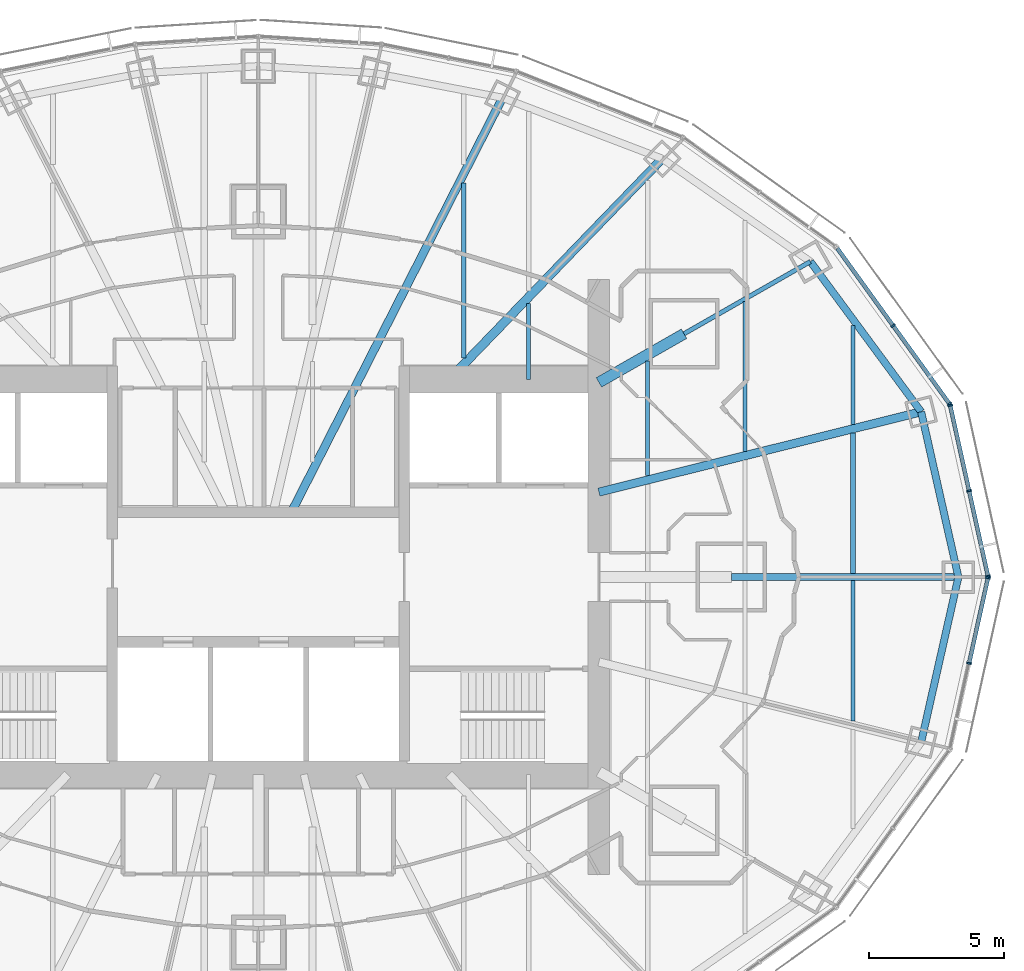
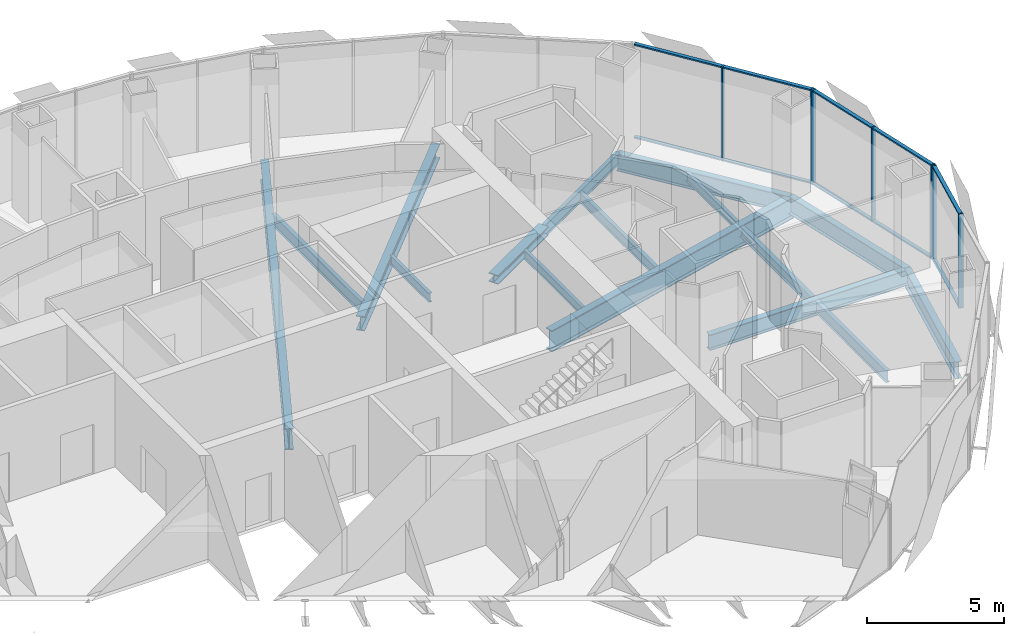
# One storey, part 7 of 19: 17 members, 16 beams, 3 elements without a shape of their own.
"""IFC4 building model written with IfcOpenShell, lengths in metres."""

from ifc_helpers import new_model, si_unit, direction, frame, origin, origin_2d, place, context, subcontext, project, spatial, rectangle, i_section, extrude, material, material_profile, profile_set, type_object, element, aggregate, save


model = new_model("IFC4")

# Units and contexts
model_context = context("Model", 3, precision=1e-05, world=origin(), true_north=direction((0.0, 1.0)))
body_context = subcontext(model_context, "Body", "Model", "MODEL_VIEW")
ifc_project = project(units=[si_unit("LENGTHUNIT", "METRE"), si_unit("AREAUNIT", "SQUARE_METRE"), si_unit("VOLUMEUNIT", "CUBIC_METRE"), si_unit("PLANEANGLEUNIT", "RADIAN"), si_unit("MASSUNIT", "GRAM", prefix="KILO")], contexts=[model_context])

# Site, building, storey
site_placement = place(None, origin())
site = spatial("IfcSite", under=ifc_project, at=site_placement, CompositionType="ELEMENT")
building_placement = place(site_placement, origin())
building = spatial("IfcBuilding", under=site, at=building_placement, Name="Lantaw Convention Tower", CompositionType="ELEMENT")
storey_placement = place(building_placement, frame((0.0, 0.0, 253.60009765625)))
storey = spatial("IfcBuildingStorey", under=building, at=storey_placement, Name="L59", CompositionType="ELEMENT", Elevation=253.60009765625)

# Beams
ifc_material_1 = material(Name="Steel ASTM A992", Category="steel")
ifc_material_profile_1 = material_profile(ifc_material_1, i_section(OverallWidth=0.2666015625, OverallDepth=0.76953125, WebThickness=0.015625, FlangeThickness=0.025390625, FilletRadius=0.0126953125, at=origin_2d()), Name="W30X132")
ifc_profile_set_1 = profile_set([ifc_material_profile_1], Name="Steel ASTM A992")
beam_type_1 = type_object("IfcBeamType", Name="Beam E W30X132", PredefinedType="SPANDREL", material=ifc_profile_set_1)
beam_1_placement = place(storey_placement, frame((25.89990234375, 0.0, -0.534912109375), z_axis=(-0.219857926596, 0.97553190215, 0.0), x_axis=(-0.97553190215, -0.219857926596, 0.0)))
element("IfcBeam", 1, at=beam_1_placement, inside=storey, type_object=beam_type_1, Name="Edge beam 1", PredefinedType="SPANDREL", context=body_context, shape_type="SweptSolid", body=[
    extrude(i_section(OverallWidth=0.2666015625, OverallDepth=0.76953125, WebThickness=0.015625, FlangeThickness=0.025390625, FilletRadius=0.0126953125, at=origin_2d()), origin(), (0.0, 0.0, 1.0), 6.267333984375),
])
beam_2_placement = place(storey_placement, frame((24.52197265625, 6.114013671875, -0.534912109375), z_axis=(-0.593639188853, 0.804731329984, 0.0), x_axis=(-0.804731329984, -0.593639188853, 0.0)))
element("IfcBeam", 2, at=beam_2_placement, inside=storey, type_object=beam_type_1, Name="Edge beam 2", PredefinedType="SPANDREL", context=body_context, shape_type="SweptSolid", body=[
    extrude(i_section(OverallWidth=0.2666015625, OverallDepth=0.76953125, WebThickness=0.015625, FlangeThickness=0.025390625, FilletRadius=0.0126953125, at=origin_2d()), origin(), (0.0, 0.0, 1.0), 6.904541015625),
])
beam_3_placement = place(storey_placement, frame((24.52197265625, -6.114013671875, -0.534912109375), z_axis=(0.219857926596, 0.97553190215, 0.0), x_axis=(-0.97553190215, 0.219857926596, 0.0)))
element("IfcBeam", 3, at=beam_3_placement, inside=storey, type_object=beam_type_1, Name="Edge beam 24", PredefinedType="SPANDREL", context=body_context, shape_type="SweptSolid", body=[
    extrude(i_section(OverallWidth=0.2666015625, OverallDepth=0.76953125, WebThickness=0.015625, FlangeThickness=0.025390625, FilletRadius=0.0126953125, at=origin_2d()), origin(), (0.0, 0.0, 1.0), 6.267333984375),
])
ifc_material_profile_2 = material_profile(ifc_material_1, i_section(OverallWidth=0.1650390625, OverallDepth=0.52587890625, WebThickness=0.0087890625, FlangeThickness=0.011474609375, FilletRadius=0.0126953125, at=origin_2d()), Name="W21X44")
ifc_profile_set_2 = profile_set([ifc_material_profile_2], Name="Steel ASTM A992")
beam_type_2 = type_object("IfcBeamType", Name="Beam G W21X44", PredefinedType="BEAM", material=ifc_profile_set_2)
beam_4_placement = place(storey_placement, frame((15.75, 9.0, -0.4130859375), z_axis=(0.868237559289, 0.496148708192, 0.0), x_axis=(-0.496148708192, 0.868237559289, 0.0)))
element("IfcBeam", 4, at=beam_4_placement, inside=storey, type_object=beam_type_2, Name="Floor girder on ray 3", PredefinedType="BEAM", context=body_context, shape_type="SweptSolid", body=[
    extrude(i_section(OverallWidth=0.1650390625, OverallDepth=0.52587890625, WebThickness=0.0087890625, FlangeThickness=0.011474609375, FilletRadius=0.0126953125, at=origin_2d()), origin(), (0.0, 0.0, 1.0), 5.38232421875),
])
ifc_material_profile_3 = material_profile(ifc_material_1, i_section(OverallWidth=0.32763671875, OverallDepth=0.64013671875, WebThickness=0.01904296875, FlangeThickness=0.033935546875, FilletRadius=0.0126953125, at=origin_2d()), Name="W24X176")
ifc_profile_set_3 = profile_set([ifc_material_profile_3], Name="Steel ASTM A992")
beam_type_3 = type_object("IfcBeamType", Name="Beam G W24X176", PredefinedType="BEAM", material=ifc_profile_set_3)
beam_5_placement = place(storey_placement, frame((7.049560546875, 7.300048828125, -0.47021484375), z_axis=(0.694657766726, 0.719340383356, 0.0), x_axis=(-0.719340383356, 0.694657766726, 0.0)))
element("IfcBeam", 5, at=beam_5_placement, inside=storey, type_object=beam_type_3, Name="Floor girder on ray 4", PredefinedType="BEAM", context=body_context, shape_type="SweptSolid", body=[
    extrude(i_section(OverallWidth=0.32763671875, OverallDepth=0.64013671875, WebThickness=0.01904296875, FlangeThickness=0.033935546875, FilletRadius=0.0126953125, at=origin_2d()), origin(), (0.0, 0.0, 1.0), 11.364990234375),
])
ifc_material_profile_4 = material_profile(ifc_material_1, i_section(OverallWidth=0.25390625, OverallDepth=0.700927734375, WebThickness=0.015380859375, FlangeThickness=0.02783203125, FilletRadius=0.01513671875, at=origin_2d()), Name="W27X129")
ifc_profile_set_4 = profile_set([ifc_material_profile_4], Name="Steel ASTM A992")
beam_type_4 = type_object("IfcBeamType", Name="Beam G W27X129", PredefinedType="BEAM", material=ifc_profile_set_4)
beam_6_placement = place(storey_placement, frame((17.5, 0.0, -0.500732421875), z_axis=(1.0, 0.0, 0.0), x_axis=(0.0, 1.0, 0.0)))
element("IfcBeam", 6, at=beam_6_placement, inside=storey, type_object=beam_type_4, Name="Floor girder on ray 1", PredefinedType="BEAM", context=body_context, shape_type="SweptSolid", body=[
    extrude(i_section(OverallWidth=0.25390625, OverallDepth=0.700927734375, WebThickness=0.015380859375, FlangeThickness=0.02783203125, FilletRadius=0.01513671875, at=origin_2d()), origin(), (0.0, 0.0, 1.0), 8.39990234375),
])
ifc_material_profile_5 = material_profile(ifc_material_1, i_section(OverallWidth=0.307373046875, OverallDepth=0.9423828125, WebThickness=0.022216796875, FlangeThickness=0.039794921875, FilletRadius=0.0126953125, at=origin_2d()), Name="W36X232")
ifc_profile_set_5 = profile_set([ifc_material_profile_5], Name="Steel ASTM A992")
beam_type_5 = type_object("IfcBeamType", Name="Beam G W36X232", PredefinedType="BEAM", material=ifc_profile_set_5)
beam_7_placement = place(storey_placement, frame((12.60009765625, 3.1416015625, -0.621337890625), z_axis=(0.970296589314, 0.241918434119, 0.0), x_axis=(-0.241918434119, 0.970296589314, 0.0)))
element("IfcBeam", 7, at=beam_7_placement, inside=storey, type_object=beam_type_5, Name="Floor girder on ray 2", PredefinedType="BEAM", context=body_context, shape_type="SweptSolid", body=[
    extrude(i_section(OverallWidth=0.307373046875, OverallDepth=0.9423828125, WebThickness=0.022216796875, FlangeThickness=0.039794921875, FilletRadius=0.0126953125, at=origin_2d()), origin(), (0.0, 0.0, 1.0), 12.286865234375),
])
beam_8_placement = place(storey_placement, frame((1.222900390625, 2.39990234375, -0.621337890625), z_axis=(0.453988481463, 0.891007552549, 0.0), x_axis=(-0.891007552549, 0.453988481463, 0.0)))
element("IfcBeam", 8, at=beam_8_placement, inside=storey, type_object=beam_type_5, Name="Floor girder on ray 5", PredefinedType="BEAM", context=body_context, shape_type="SweptSolid", body=[
    extrude(i_section(OverallWidth=0.307373046875, OverallDepth=0.9423828125, WebThickness=0.022216796875, FlangeThickness=0.039794921875, FilletRadius=0.0126953125, at=origin_2d()), origin(), (0.0, 0.0, 1.0), 17.20703125),
])
ifc_material_profile_6 = material_profile(ifc_material_1, i_section(OverallWidth=0.40380859375, OverallDepth=0.406494140625, WebThickness=0.027099609375, FlangeThickness=0.043701171875, FilletRadius=0.01513671875, at=origin_2d()), Name="W14X233")
ifc_profile_set_6 = profile_set([ifc_material_profile_6], Name="Steel ASTM A992")
beam_type_6 = type_object("IfcBeamType", Name="Beam GM W14X233", PredefinedType="BEAM", material=ifc_profile_set_6)
beam_9_placement = place(storey_placement, frame((12.60009765625, 7.199951171875, -0.353271484375), z_axis=(0.868230718294, 0.496160679428, 0.0), x_axis=(-0.496160679428, 0.868230718294, 0.0)))
element("IfcBeam", 9, at=beam_9_placement, inside=storey, type_object=beam_type_6, Name="Core link beam on ray 3", PredefinedType="BEAM", context=body_context, shape_type="SweptSolid", body=[
    extrude(i_section(OverallWidth=0.40380859375, OverallDepth=0.406494140625, WebThickness=0.027099609375, FlangeThickness=0.043701171875, FilletRadius=0.01513671875, at=origin_2d()), origin(), (0.0, 0.0, 1.0), 3.6279296875),
])
ifc_material_profile_7 = material_profile(ifc_material_1, i_section(OverallWidth=0.140380859375, OverallDepth=0.40380859375, WebThickness=0.007080078125, FlangeThickness=0.01123046875, FilletRadius=0.01025390625, at=origin_2d()), Name="W16X31")
ifc_profile_set_7 = profile_set([ifc_material_profile_7], Name="Steel ASTM A992")
beam_type_7 = type_object("IfcBeamType", Name="Beam J W16X31", PredefinedType="JOIST", material=ifc_profile_set_7)
beam_10_placement = place(storey_placement, frame((10.0, 7.300048828125, -0.35205078125), z_axis=(0.0, 1.0, 0.0), x_axis=(-1.0, 0.0, 0.0)))
element("IfcBeam", 10, at=beam_10_placement, inside=storey, type_object=beam_type_7, Name="Floor joist", PredefinedType="JOIST", context=body_context, shape_type="SweptSolid", body=[
    extrude(i_section(OverallWidth=0.140380859375, OverallDepth=0.40380859375, WebThickness=0.007080078125, FlangeThickness=0.01123046875, FilletRadius=0.01025390625, at=origin_2d()), origin(), (0.0, 0.0, 1.0), 2.8193359375),
])
beam_11_placement = place(storey_placement, frame((14.39990234375, 3.748779296875, -0.35205078125), z_axis=(0.0, 1.0, 0.0), x_axis=(-1.0, 0.0, 0.0)))
element("IfcBeam", 11, at=beam_11_placement, inside=storey, type_object=beam_type_7, Name="Floor joist", PredefinedType="JOIST", context=body_context, shape_type="SweptSolid", body=[
    extrude(i_section(OverallWidth=0.140380859375, OverallDepth=0.40380859375, WebThickness=0.007080078125, FlangeThickness=0.01123046875, FilletRadius=0.01025390625, at=origin_2d()), origin(), (0.0, 0.0, 1.0), 4.247314453125),
])
beam_12_placement = place(storey_placement, frame((22.0, 5.6435546875, -0.35205078125), z_axis=(0.0, 1.0, 0.0), x_axis=(-1.0, 0.0, 0.0)))
element("IfcBeam", 12, at=beam_12_placement, inside=storey, type_object=beam_type_7, Name="Floor joist", PredefinedType="JOIST", context=body_context, shape_type="SweptSolid", body=[
    extrude(i_section(OverallWidth=0.140380859375, OverallDepth=0.40380859375, WebThickness=0.007080078125, FlangeThickness=0.01123046875, FilletRadius=0.01025390625, at=origin_2d()), origin(), (0.0, 0.0, 1.0), 3.66455078125),
])
ifc_material_profile_8 = material_profile(ifc_material_1, i_section(OverallWidth=0.15234375, OverallDepth=0.449462890625, WebThickness=0.007568359375, FlangeThickness=0.0107421875, FilletRadius=0.01025390625, at=origin_2d()), Name="W18X35")
ifc_profile_set_8 = profile_set([ifc_material_profile_8], Name="Steel ASTM A992")
beam_type_8 = type_object("IfcBeamType", Name="Beam J W18X35", PredefinedType="JOIST", material=ifc_profile_set_8)
beam_13_placement = place(storey_placement, frame((18.0, 4.646240234375, -0.375), z_axis=(0.0, 1.0, 0.0), x_axis=(-1.0, 0.0, 0.0)))
element("IfcBeam", 13, at=beam_13_placement, inside=storey, type_object=beam_type_8, Name="Floor joist", PredefinedType="JOIST", context=body_context, shape_type="SweptSolid", body=[
    extrude(i_section(OverallWidth=0.15234375, OverallDepth=0.449462890625, WebThickness=0.007568359375, FlangeThickness=0.0107421875, FilletRadius=0.01025390625, at=origin_2d()), origin(), (0.0, 0.0, 1.0), 5.54443359375),
])
ifc_material_profile_9 = material_profile(ifc_material_1, i_section(OverallWidth=0.1904296875, OverallDepth=0.457275390625, WebThickness=0.009033203125, FlangeThickness=0.014404296875, FilletRadius=0.01025390625, at=origin_2d()), Name="W18X50")
ifc_profile_set_9 = profile_set([ifc_material_profile_9], Name="Steel ASTM A992")
beam_type_9 = type_object("IfcBeamType", Name="Beam J W18X50", PredefinedType="JOIST", material=ifc_profile_set_9)
beam_14_placement = place(storey_placement, frame((22.0, 0.126953125, -0.378662109375), z_axis=(0.0, 1.0, 0.0), x_axis=(-1.0, 0.0, 0.0)))
element("IfcBeam", 14, at=beam_14_placement, inside=storey, type_object=beam_type_9, Name="Floor joist", PredefinedType="JOIST", context=body_context, shape_type="SweptSolid", body=[
    extrude(i_section(OverallWidth=0.1904296875, OverallDepth=0.457275390625, WebThickness=0.009033203125, FlangeThickness=0.014404296875, FilletRadius=0.01025390625, at=origin_2d()), origin(), (0.0, 0.0, 1.0), 5.199951171875),
])
ifc_material_profile_10 = material_profile(ifc_material_1, i_section(OverallWidth=0.1650390625, OverallDepth=0.52587890625, WebThickness=0.0087890625, FlangeThickness=0.011474609375, FilletRadius=0.0126953125, at=origin_2d()), Name="W21X44")
ifc_profile_set_10 = profile_set([ifc_material_profile_10], Name="Steel ASTM A992")
beam_type_10 = type_object("IfcBeamType", Name="Beam J W21X44", PredefinedType="JOIST", material=ifc_profile_set_10)
beam_15_placement = place(storey_placement, frame((7.60009765625, 8.10595703125, -0.4130859375), z_axis=(0.0, 1.0, 0.0), x_axis=(-1.0, 0.0, 0.0)))
element("IfcBeam", 15, at=beam_15_placement, inside=storey, type_object=beam_type_10, Name="Floor joist", PredefinedType="JOIST", context=body_context, shape_type="SweptSolid", body=[
    extrude(i_section(OverallWidth=0.1650390625, OverallDepth=0.52587890625, WebThickness=0.0087890625, FlangeThickness=0.011474609375, FilletRadius=0.0126953125, at=origin_2d()), origin(), (0.0, 0.0, 1.0), 6.471435546875),
])
beam_16_placement = place(storey_placement, frame((22.0, -5.326904296875, -0.4130859375), z_axis=(0.0, 1.0, 0.0), x_axis=(-1.0, 0.0, 0.0)))
element("IfcBeam", 16, at=beam_16_placement, inside=storey, type_object=beam_type_10, Name="Floor joist", PredefinedType="JOIST", context=body_context, shape_type="SweptSolid", body=[
    extrude(i_section(OverallWidth=0.1650390625, OverallDepth=0.52587890625, WebThickness=0.0087890625, FlangeThickness=0.011474609375, FilletRadius=0.0126953125, at=origin_2d()), origin(), (0.0, 0.0, 1.0), 5.199951171875),
])

# Curtain wall, members
ifc_material_2 = material(Name="Aluminium framed curtain wall", Category="aluminium")
curtain_wall_type = type_object("IfcCurtainWallType", Name="Office curtain wall high rise, pale aluminium", PredefinedType="USERDEFINED", material=ifc_material_2)
curtain_wall_1_placement = place(storey_placement, origin())
curtain_wall_1 = element("IfcCurtainWall", 17, at=curtain_wall_1_placement, inside=storey, type_object=curtain_wall_type, Name="Office curtain wall high rise, pale aluminium L59", ObjectType="UNITISED CURTAIN WALL", PredefinedType="USERDEFINED")
ifc_material_3 = material(Name="Aluminium 6063-T6", Category="aluminium")
ifc_material_profile_11 = material_profile(ifc_material_3, rectangle(XDim=0.179931640625, YDim=0.06494140625, at=origin_2d()), Name="CW-O2 mullion 65x180")
ifc_profile_set_11 = profile_set([ifc_material_profile_11], Name="Aluminium 6063-T6")
member_type_1 = type_object("IfcMemberType", Name="CW-O2 mullion 65x180", PredefinedType="MULLION", material=ifc_profile_set_11)
member_1_placement = place(storey_placement, frame((26.992919921875, 0.03173828125, -0.150146484375), z_axis=(0.0, 0.0, 1.0), x_axis=(-0.976417396437, -0.215891333626, 0.0)))
member_1 = element("IfcMember", 18, at=member_1_placement, type_object=member_type_1, Name="CW-O2 mullion 1", PredefinedType="MULLION", context=body_context, shape_type="SweptSolid", body=[
    extrude(rectangle(XDim=0.179931640625, YDim=0.06494140625, at=origin_2d()), origin(), (0.0, 0.0, 1.0), 4.199951171875),
])
member_2_placement = place(storey_placement, frame((26.294677734375, 3.190185546875, -0.150146484375), z_axis=(0.0, 0.0, 1.0), x_axis=(-0.976417396437, -0.215891333626, 0.0)))
member_2 = element("IfcMember", 19, at=member_2_placement, type_object=member_type_1, Name="CW-O2 mullion 2", PredefinedType="MULLION", context=body_context, shape_type="SweptSolid", body=[
    extrude(rectangle(XDim=0.179931640625, YDim=0.06494140625, at=origin_2d()), origin(), (0.0, 0.0, 1.0), 4.199951171875),
])
member_3_placement = place(storey_placement, frame((25.596435546875, 6.348388671875, -0.150146484375), z_axis=(0.0, 0.0, 1.0), x_axis=(-0.976417396437, -0.215891333626, 0.0)))
member_3 = element("IfcMember", 20, at=member_3_placement, type_object=member_type_1, Name="CW-O2 mullion 3", PredefinedType="MULLION", context=body_context, shape_type="SweptSolid", body=[
    extrude(rectangle(XDim=0.179931640625, YDim=0.06494140625, at=origin_2d()), origin(), (0.0, 0.0, 1.0), 4.199951171875),
])

curtain_wall_2_placement = place(storey_placement, origin())
curtain_wall_2 = element("IfcCurtainWall", 21, at=curtain_wall_2_placement, inside=storey, type_object=curtain_wall_type, Name="Office curtain wall high rise, pale aluminium L59", ObjectType="UNITISED CURTAIN WALL", PredefinedType="USERDEFINED")
member_4_placement = place(storey_placement, frame((25.5703125, 6.406494140625, -0.150146484375), z_axis=(0.0, 0.0, 1.0), x_axis=(-0.810919559405, -0.585157643865, 0.0)))
member_4 = element("IfcMember", 22, at=member_4_placement, type_object=member_type_1, Name="CW-O2 mullion 1", PredefinedType="MULLION", context=body_context, shape_type="SweptSolid", body=[
    extrude(rectangle(XDim=0.179931640625, YDim=0.06494140625, at=origin_2d()), origin(), (0.0, 0.0, 1.0), 4.199951171875),
])
member_5_placement = place(storey_placement, frame((23.483642578125, 9.298095703125, -0.150146484375), z_axis=(0.0, 0.0, 1.0), x_axis=(-0.810919559405, -0.585157643865, 0.0)))
member_5 = element("IfcMember", 23, at=member_5_placement, type_object=member_type_1, Name="CW-O2 mullion 2", PredefinedType="MULLION", context=body_context, shape_type="SweptSolid", body=[
    extrude(rectangle(XDim=0.179931640625, YDim=0.06494140625, at=origin_2d()), origin(), (0.0, 0.0, 1.0), 4.199951171875),
])

curtain_wall_3_placement = place(storey_placement, origin())
curtain_wall_3 = element("IfcCurtainWall", 24, at=curtain_wall_3_placement, inside=storey, type_object=curtain_wall_type, Name="Office curtain wall high rise, pale aluminium L59", ObjectType="UNITISED CURTAIN WALL", PredefinedType="USERDEFINED")
member_6_placement = place(storey_placement, frame((26.294677734375, -3.190185546875, -0.150146484375), z_axis=(0.0, 0.0, 1.0), x_axis=(-0.976417396437, 0.215891333626, 0.0)))
member_6 = element("IfcMember", 25, at=member_6_placement, type_object=member_type_1, Name="CW-O2 mullion 2", PredefinedType="MULLION", context=body_context, shape_type="SweptSolid", body=[
    extrude(rectangle(XDim=0.179931640625, YDim=0.06494140625, at=origin_2d()), origin(), (0.0, 0.0, 1.0), 4.199951171875),
])
member_7_placement = place(storey_placement, frame((26.992919921875, -0.03173828125, -0.150146484375), z_axis=(0.0, 0.0, 1.0), x_axis=(-0.976417396437, 0.215891333626, 0.0)))
member_7 = element("IfcMember", 26, at=member_7_placement, type_object=member_type_1, Name="CW-O2 mullion 3", PredefinedType="MULLION", context=body_context, shape_type="SweptSolid", body=[
    extrude(rectangle(XDim=0.179931640625, YDim=0.06494140625, at=origin_2d()), origin(), (0.0, 0.0, 1.0), 4.199951171875),
])

# Member
ifc_material_profile_12 = material_profile(ifc_material_3, rectangle(XDim=0.14990234375, YDim=0.06494140625, at=origin_2d()), Name="CW-O2 transom 65x150")
ifc_profile_set_12 = profile_set([ifc_material_profile_12], Name="Aluminium 6063-T6")
member_type_2 = type_object("IfcMemberType", Name="CW-O2 transom 65x150", PredefinedType="USERDEFINED", material=ifc_profile_set_12)
member_8_placement = place(storey_placement, frame((26.986083984375, 0.0634765625, -0.11767578125), z_axis=(-0.215894607042, 0.976416672661, 0.0), x_axis=(-0.976416672661, -0.215894607042, 0.0)))
member_8 = element("IfcMember", 27, at=member_8_placement, type_object=member_type_2, Name="CW-O2 transom 1.1", ObjectType="TRANSOM", PredefinedType="USERDEFINED", context=body_context, shape_type="SweptSolid", body=[
    extrude(rectangle(XDim=0.14990234375, YDim=0.06494140625, at=origin_2d()), origin(), (0.0, 0.0, 1.0), 3.169677734375),
])

member_9_placement = place(storey_placement, frame((26.986083984375, 0.0634765625, 4.017333984375), z_axis=(-0.215894607042, 0.976416672661, 0.0), x_axis=(-0.976416672661, -0.215894607042, 0.0)))
member_9 = element("IfcMember", 28, at=member_9_placement, type_object=member_type_2, Name="CW-O2 transom 1.2", ObjectType="TRANSOM", PredefinedType="USERDEFINED", context=body_context, shape_type="SweptSolid", body=[
    extrude(rectangle(XDim=0.14990234375, YDim=0.06494140625, at=origin_2d()), origin(), (0.0, 0.0, 1.0), 3.169677734375),
])

member_10_placement = place(storey_placement, frame((26.28759765625, 3.2216796875, -0.11767578125), z_axis=(-0.215894607042, 0.976416672661, 0.0), x_axis=(-0.976416672661, -0.215894607042, 0.0)))
member_10 = element("IfcMember", 29, at=member_10_placement, type_object=member_type_2, Name="CW-O2 transom 2.1", ObjectType="TRANSOM", PredefinedType="USERDEFINED", context=body_context, shape_type="SweptSolid", body=[
    extrude(rectangle(XDim=0.14990234375, YDim=0.06494140625, at=origin_2d()), origin(), (0.0, 0.0, 1.0), 3.169677734375),
])

member_11_placement = place(storey_placement, frame((26.28759765625, 3.2216796875, 4.017333984375), z_axis=(-0.215894607042, 0.976416672661, 0.0), x_axis=(-0.976416672661, -0.215894607042, 0.0)))
member_11 = element("IfcMember", 30, at=member_11_placement, type_object=member_type_2, Name="CW-O2 transom 2.2", ObjectType="TRANSOM", PredefinedType="USERDEFINED", context=body_context, shape_type="SweptSolid", body=[
    extrude(rectangle(XDim=0.14990234375, YDim=0.06494140625, at=origin_2d()), origin(), (0.0, 0.0, 1.0), 3.169677734375),
])

aggregate(curtain_wall_1, [member_1, member_2, member_3, member_8, member_9, member_10, member_11])

member_12_placement = place(storey_placement, frame((25.55126953125, 6.432861328125, -0.11767578125), z_axis=(-0.585169685931, 0.810910869743, 0.0), x_axis=(-0.810910869743, -0.585169685931, 0.0)))
member_12 = element("IfcMember", 31, at=member_12_placement, type_object=member_type_2, Name="CW-O2 transom 1.1", ObjectType="TRANSOM", PredefinedType="USERDEFINED", context=body_context, shape_type="SweptSolid", body=[
    extrude(rectangle(XDim=0.14990234375, YDim=0.06494140625, at=origin_2d()), origin(), (0.0, 0.0, 1.0), 3.500732421875),
])

member_13_placement = place(storey_placement, frame((25.55126953125, 6.432861328125, 4.017333984375), z_axis=(-0.585169685931, 0.810910869743, 0.0), x_axis=(-0.810910869743, -0.585169685931, 0.0)))
member_13 = element("IfcMember", 32, at=member_13_placement, type_object=member_type_2, Name="CW-O2 transom 1.2", ObjectType="TRANSOM", PredefinedType="USERDEFINED", context=body_context, shape_type="SweptSolid", body=[
    extrude(rectangle(XDim=0.14990234375, YDim=0.06494140625, at=origin_2d()), origin(), (0.0, 0.0, 1.0), 3.500732421875),
])

member_14_placement = place(storey_placement, frame((23.464599609375, 9.324462890625, -0.11767578125), z_axis=(-0.585123825205, 0.810943961798, 0.0), x_axis=(-0.810943961798, -0.585123825205, 0.0)))
member_14 = element("IfcMember", 33, at=member_14_placement, type_object=member_type_2, Name="CW-O2 transom 2.1", ObjectType="TRANSOM", PredefinedType="USERDEFINED", context=body_context, shape_type="SweptSolid", body=[
    extrude(rectangle(XDim=0.14990234375, YDim=0.06494140625, at=origin_2d()), origin(), (0.0, 0.0, 1.0), 3.500732421875),
])

member_15_placement = place(storey_placement, frame((23.464599609375, 9.324462890625, 4.017333984375), z_axis=(-0.585123825205, 0.810943961798, 0.0), x_axis=(-0.810943961798, -0.585123825205, 0.0)))
member_15 = element("IfcMember", 34, at=member_15_placement, type_object=member_type_2, Name="CW-O2 transom 2.2", ObjectType="TRANSOM", PredefinedType="USERDEFINED", context=body_context, shape_type="SweptSolid", body=[
    extrude(rectangle(XDim=0.14990234375, YDim=0.06494140625, at=origin_2d()), origin(), (0.0, 0.0, 1.0), 3.500732421875),
])

aggregate(curtain_wall_2, [member_4, member_5, member_12, member_13, member_14, member_15])

member_16_placement = place(storey_placement, frame((26.3017578125, -3.158447265625, -0.11767578125), z_axis=(0.215894607042, 0.976416672661, 0.0), x_axis=(-0.976416672661, 0.215894607042, 0.0)))
member_16 = element("IfcMember", 35, at=member_16_placement, type_object=member_type_2, Name="CW-O2 transom 2.1", ObjectType="TRANSOM", PredefinedType="USERDEFINED", context=body_context, shape_type="SweptSolid", body=[
    extrude(rectangle(XDim=0.14990234375, YDim=0.06494140625, at=origin_2d()), origin(), (0.0, 0.0, 1.0), 3.169677734375),
])

member_17_placement = place(storey_placement, frame((26.3017578125, -3.158447265625, 4.017333984375), z_axis=(0.215894607042, 0.976416672661, 0.0), x_axis=(-0.976416672661, 0.215894607042, 0.0)))
member_17 = element("IfcMember", 36, at=member_17_placement, type_object=member_type_2, Name="CW-O2 transom 2.2", ObjectType="TRANSOM", PredefinedType="USERDEFINED", context=body_context, shape_type="SweptSolid", body=[
    extrude(rectangle(XDim=0.14990234375, YDim=0.06494140625, at=origin_2d()), origin(), (0.0, 0.0, 1.0), 3.169677734375),
])

aggregate(curtain_wall_3, [member_6, member_7, member_16, member_17])

save(model, "model.ifc")
